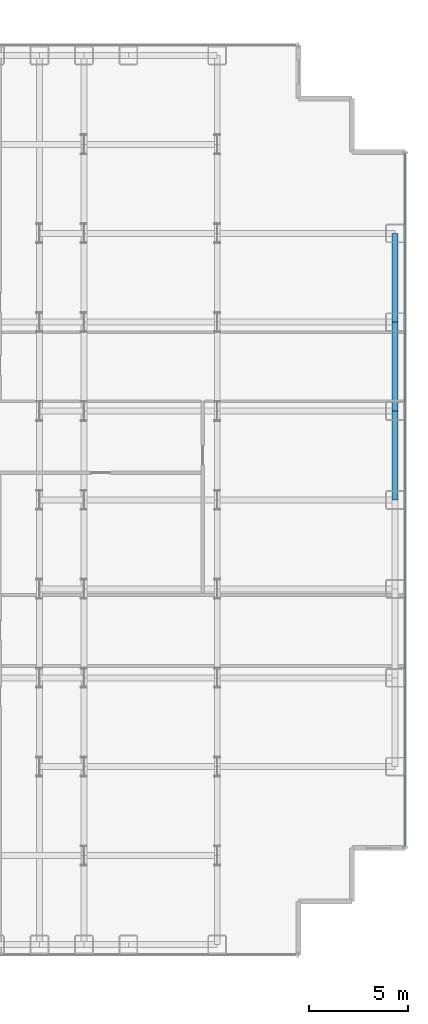
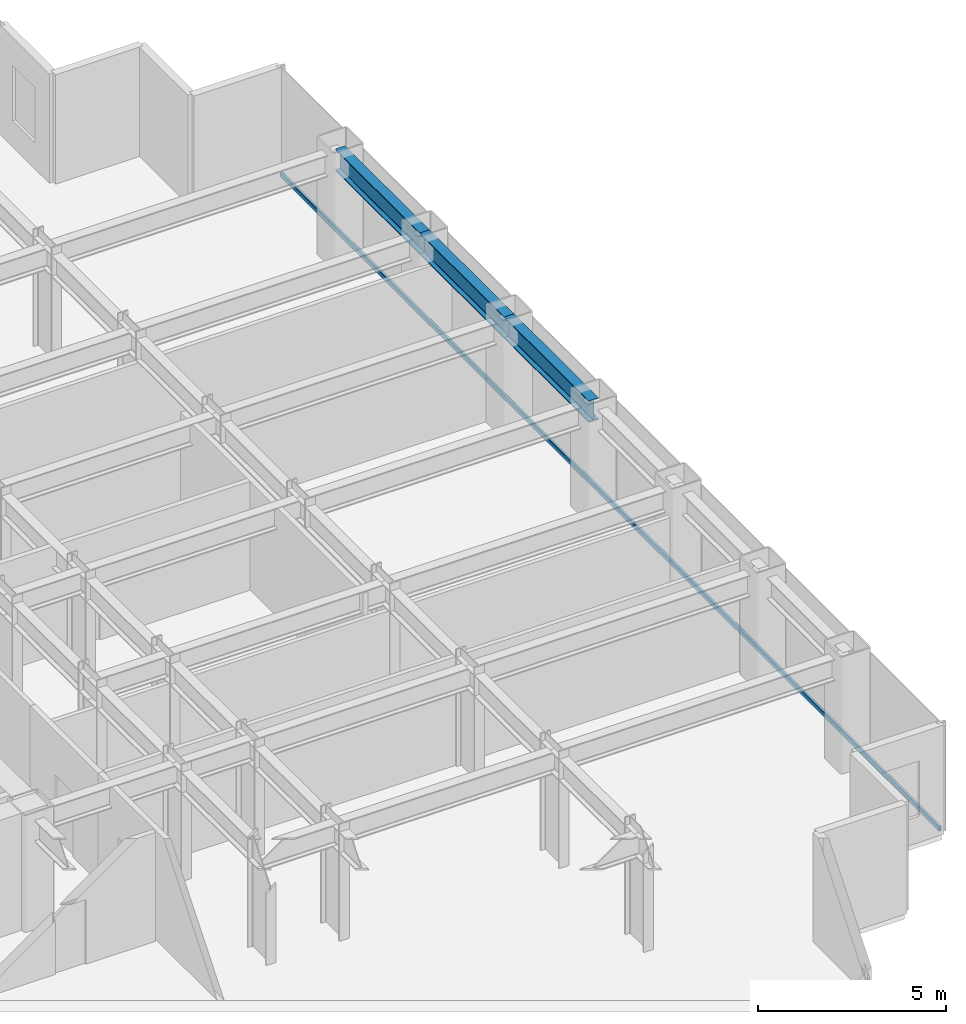
# One storey, part 17 of 26: 3 beams, 1 member, 1 element without a shape of its own.
"""IFC4 building model written with IfcOpenShell, lengths in metres."""

from ifc_helpers import new_model, si_unit, direction, frame, origin, origin_2d, place, context, subcontext, project, spatial, hollow_rectangle, i_section, extrude, source, transform, mapped, material, layer, layer_set, material_profile, profile_set, type_object, element, aggregate, save


model = new_model("IFC4")

# Units and contexts
model_context = context("Model", 3, precision=1e-05, world=origin(), true_north=direction((0.0, 1.0)))
body_context = subcontext(model_context, "Body", "Model", "MODEL_VIEW")
ifc_project = project(units=[si_unit("LENGTHUNIT", "METRE"), si_unit("AREAUNIT", "SQUARE_METRE"), si_unit("VOLUMEUNIT", "CUBIC_METRE"), si_unit("PLANEANGLEUNIT", "RADIAN"), si_unit("MASSUNIT", "GRAM", prefix="KILO")], contexts=[model_context])

# Site, building, storey
site_placement = place(None, origin())
site = spatial("IfcSite", under=ifc_project, at=site_placement, CompositionType="ELEMENT")
building_placement = place(site_placement, origin())
building = spatial("IfcBuilding", under=site, at=building_placement, Name="Nefas-Gora Pilgrimage Tower", CompositionType="ELEMENT")
storey_placement = place(building_placement, frame((0.0, 0.0, 40.60009765625)))
storey = spatial("IfcBuildingStorey", under=building, at=storey_placement, Name="L08", CompositionType="ELEMENT", Elevation=40.60009765625)

# Beams
ifc_material_1 = material(Name="Steel S355", Category="steel")
ifc_material_profile_1 = material_profile(ifc_material_1, i_section(OverallWidth=0.300048828125, OverallDepth=0.699951171875, WebThickness=0.01708984375, FlangeThickness=0.031982421875, FilletRadius=0.027099609375, at=origin_2d()), Name="HEB 700")
ifc_profile_set_1 = profile_set([ifc_material_profile_1], Name="Steel S355")
beam_type = type_object("IfcBeamType", Name="BM-SPN-HEB600", PredefinedType="SPANDREL", material=ifc_profile_set_1)
shared_shape_1 = source(origin(), body_context, "Body", "SweptSolid", [
    extrude(i_section(OverallWidth=0.300048828125, OverallDepth=0.699951171875, WebThickness=0.01708984375, FlangeThickness=0.031982421875, FilletRadius=0.027099609375, at=origin_2d()), origin(), (0.0, 0.0, 1.0), 4.5),
])
for number, where, z_axis, x_axis, name in (
    (1, (33.75, 0.0, 3.199951171875), (0.0, 1.0, 0.0), (-1.0, 0.0, 0.0), "L08 SP-01 beam"),
    (2, (33.75, 4.5, 3.199951171875), (0.0, 1.0, 0.0), (-1.0, 0.0, 0.0), "L08 SP-01 beam"),
    (3, (33.75, 9.0, 3.199951171875), (0.0, 1.0, 0.0), (-1.0, 0.0, 0.0), "L08 SP-01 beam"),
):
    element("IfcBeam", number, at=place(storey_placement, frame(where, z_axis=z_axis, x_axis=x_axis)), inside=storey, type_object=beam_type, Name=name, PredefinedType="SPANDREL", context=body_context, shape_type="MappedRepresentation", body=[
        mapped(shared_shape_1, transform((0.0, 0.0, 0.0), x_axis=(1.0, 0.0, 0.0), y_axis=(0.0, 1.0, 0.0), z_axis=(0.0, 0.0, 1.0), scale=1.0)),
    ])

# Curtain wall, member
ifc_material_2 = material(Name="Dark ceramic-fritted solar-control aluminium-glass curtain wall", Category="aluminium")
ifc_layer = layer(ifc_material_2, 0.219970703125)
ifc_layer_set = layer_set([ifc_layer], Name="Dark ceramic-fritted solar-control aluminium-glass curtain wall")
curtain_wall_type = type_object("IfcCurtainWallType", Name="CW-SYS-2", PredefinedType="NOTDEFINED", material=ifc_layer_set)
curtain_wall_placement = place(storey_placement, origin())
curtain_wall = element("IfcCurtainWall", 4, at=curtain_wall_placement, inside=storey, type_object=curtain_wall_type, Name="L08 Unitised Curtain Wall CW2", PredefinedType="NOTDEFINED")
ifc_material_3 = material(Name="Anodised architectural aluminium", Category="aluminium")
ifc_material_profile_2 = material_profile(ifc_material_3, hollow_rectangle(XDim=0.080078125, YDim=0.159912109375, WallThickness=0.00439453125, InnerFilletRadius=0.00439453125, OuterFilletRadius=0.009033203125, at=origin_2d()), Name="ALU TRANSOM 80x160")
ifc_profile_set_2 = profile_set([ifc_material_profile_2], Name="Anodised architectural aluminium")
member_type = type_object("IfcMemberType", Name="CWM-TRN-2", PredefinedType="USERDEFINED", material=ifc_profile_set_2)
shared_shape_2 = source(origin(), body_context, "Body", "SweptSolid", [
    extrude(hollow_rectangle(XDim=0.080078125, YDim=0.159912109375, WallThickness=0.00439453125, InnerFilletRadius=0.00439453125, OuterFilletRadius=0.009033203125, at=origin_2d()), origin(), (0.0, 0.0, 1.0), 35.06005859375),
])
member_placement = place(storey_placement, frame((34.27001953125, -17.530029296875, 0.0498046875), z_axis=(0.0, 1.0, 0.0), x_axis=(-1.0, 0.0, 0.0)))
member = element("IfcMember", 5, at=member_placement, type_object=member_type, Name="CW2 Spandrel Transom", ObjectType="TRANSOM", PredefinedType="USERDEFINED", context=body_context, shape_type="MappedRepresentation", body=[
    mapped(shared_shape_2, transform((0.0, 0.0, 0.0), x_axis=(1.0, 0.0, 0.0), y_axis=(0.0, 1.0, 0.0), z_axis=(0.0, 0.0, 1.0), scale=1.0)),
])
aggregate(curtain_wall, [member])

save(model, "model.ifc")
